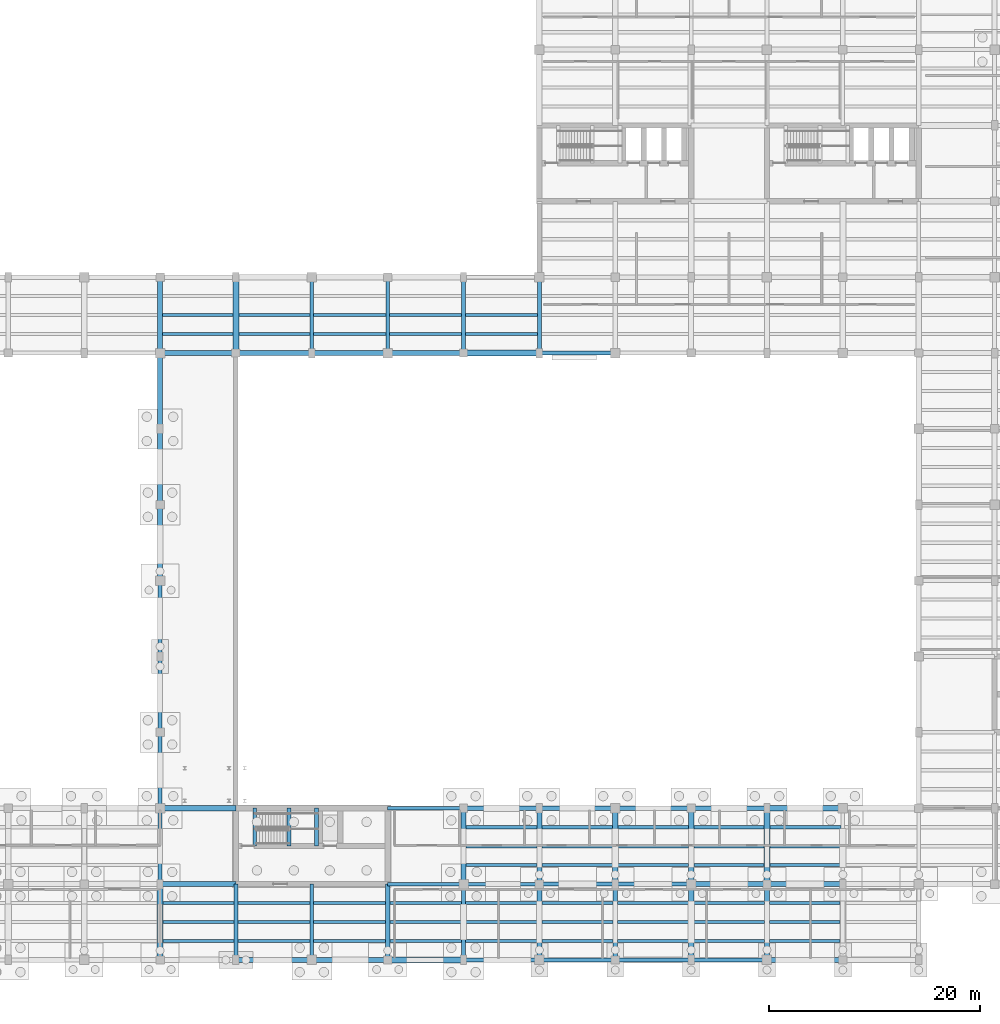
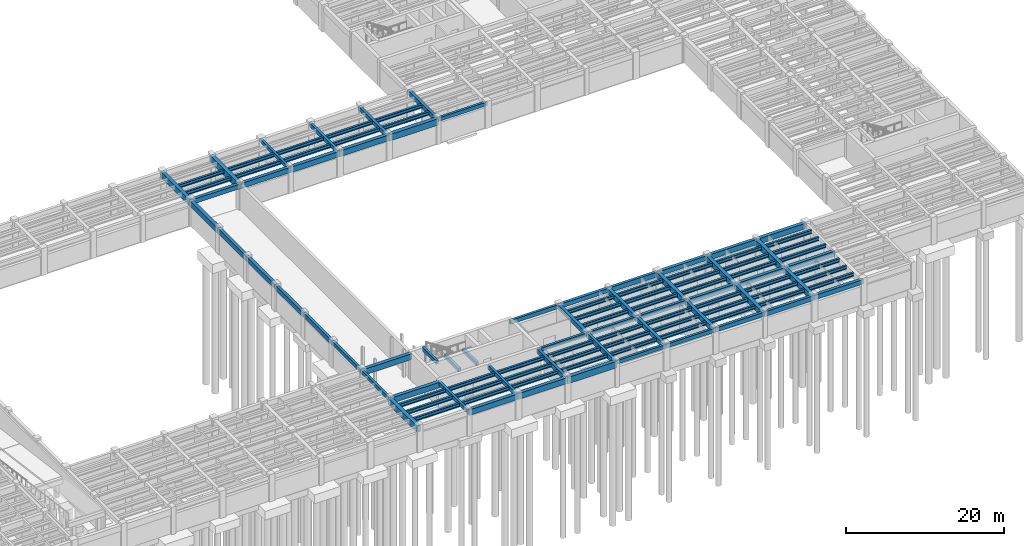
# One storey, part 10 of 33: 110 beams.
"""IFC4 building model written with IfcOpenShell, lengths in metres."""

from ifc_helpers import new_model, si_unit, direction, frame, origin, origin_2d, place, context, subcontext, project, spatial, rectangle, i_section, extrude, material, material_profile, profile_set, type_object, element, save


model = new_model("IFC4")

# Units and contexts
model_context = context("Model", 3, precision=1e-05, world=origin(), true_north=direction((0.0, 1.0)))
body_context = subcontext(model_context, "Body", "Model", "MODEL_VIEW")
ifc_project = project(units=[si_unit("LENGTHUNIT", "METRE"), si_unit("AREAUNIT", "SQUARE_METRE"), si_unit("VOLUMEUNIT", "CUBIC_METRE"), si_unit("PLANEANGLEUNIT", "RADIAN"), si_unit("MASSUNIT", "GRAM", prefix="KILO")], contexts=[model_context])

# Site, building, storey
site_placement = place(None, origin())
site = spatial("IfcSite", under=ifc_project, at=site_placement, CompositionType="ELEMENT")
building_placement = place(site_placement, origin())
building = spatial("IfcBuilding", under=site, at=building_placement, Name="Mithqara Police Headquarters", CompositionType="ELEMENT")
storey_placement = place(building_placement, frame((0.0, 0.0, -4.199951171875)))
storey = spatial("IfcBuildingStorey", under=building, at=storey_placement, Name="B1", CompositionType="ELEMENT", Elevation=-4.199951171875)

# Beams
ifc_material_1 = material(Name="Steel S355JR", Category="steel")
ifc_material_profile_1 = material_profile(ifc_material_1, i_section(OverallWidth=0.300048828125, OverallDepth=0.550048828125, WebThickness=0.014892578125, FlangeThickness=0.029052734375, FilletRadius=0.027099609375, at=origin_2d()), Name="HEB 550")
ifc_profile_set_1 = profile_set([ifc_material_profile_1], Name="Steel S355JR")
beam_type_1 = type_object("IfcBeamType", Name="BEAM HEB550", PredefinedType="BEAM", material=ifc_profile_set_1)
for number, where, z_axis, x_axis, name in (
    (1, (72.875, 22.800048828125, 3.60498046875), (1.0, 0.0, 0.0), (0.0, 1.0, 0.0), "B1 Composite Steel Joist 11-12/D.1"),
    (2, (72.875, 24.60009765625, 3.60498046875), (1.0, 0.0, 0.0), (0.0, 1.0, 0.0), "B1 Composite Steel Joist 11-12/D.2"),
    (3, (72.875, 26.39990234375, 3.60498046875), (1.0, 0.0, 0.0), (0.0, 1.0, 0.0), "B1 Composite Steel Joist 11-12/D.3"),
):
    element("IfcBeam", number, at=place(storey_placement, frame(where, z_axis=z_axis, x_axis=x_axis)), inside=storey, type_object=beam_type_1, Name=name, PredefinedType="BEAM", context=body_context, shape_type="SweptSolid", body=[
        extrude(i_section(OverallWidth=0.300048828125, OverallDepth=0.550048828125, WebThickness=0.014892578125, FlangeThickness=0.029052734375, FilletRadius=0.027099609375, at=origin_2d()), origin(), (0.0, 0.0, 1.0), 6.75),
    ])
for number, where, z_axis, x_axis, name in (
    (4, (72.85009765625, 80.39990234375, 3.60498046875), (1.0, 0.0, 0.0), (0.0, 1.0, 0.0), "B1 Composite Steel Joist 11-12/M.1"),
    (5, (72.85009765625, 82.199951171875, 3.60498046875), (1.0, 0.0, 0.0), (0.0, 1.0, 0.0), "B1 Composite Steel Joist 11-12/M.2"),
):
    element("IfcBeam", number, at=place(storey_placement, frame(where, z_axis=z_axis, x_axis=x_axis)), inside=storey, type_object=beam_type_1, Name=name, PredefinedType="BEAM", context=body_context, shape_type="SweptSolid", body=[
        extrude(i_section(OverallWidth=0.300048828125, OverallDepth=0.550048828125, WebThickness=0.014892578125, FlangeThickness=0.029052734375, FilletRadius=0.027099609375, at=origin_2d()), origin(), (0.0, 0.0, 1.0), 6.6748046875),
    ])
for number, where, z_axis, x_axis, name in (
    (6, (79.97509765625, 22.800048828125, 3.60498046875), (1.0, 0.0, 0.0), (0.0, 1.0, 0.0), "B1 Composite Steel Joist 12-13/D.1"),
    (7, (79.97509765625, 24.60009765625, 3.60498046875), (1.0, 0.0, 0.0), (0.0, 1.0, 0.0), "B1 Composite Steel Joist 12-13/D.2"),
    (8, (79.97509765625, 26.39990234375, 3.60498046875), (1.0, 0.0, 0.0), (0.0, 1.0, 0.0), "B1 Composite Steel Joist 12-13/D.3"),
):
    element("IfcBeam", number, at=place(storey_placement, frame(where, z_axis=z_axis, x_axis=x_axis)), inside=storey, type_object=beam_type_1, Name=name, PredefinedType="BEAM", context=body_context, shape_type="SweptSolid", body=[
        extrude(i_section(OverallWidth=0.300048828125, OverallDepth=0.550048828125, WebThickness=0.014892578125, FlangeThickness=0.029052734375, FilletRadius=0.027099609375, at=origin_2d()), origin(), (0.0, 0.0, 1.0), 6.849853515625),
    ])
for number, where, z_axis, x_axis, name in (
    (9, (80.074951171875, 80.39990234375, 3.60498046875), (1.0, 0.0, 0.0), (0.0, 1.0, 0.0), "B1 Composite Steel Joist 12-13/M.1"),
    (10, (80.074951171875, 82.199951171875, 3.60498046875), (1.0, 0.0, 0.0), (0.0, 1.0, 0.0), "B1 Composite Steel Joist 12-13/M.2"),
):
    element("IfcBeam", number, at=place(storey_placement, frame(where, z_axis=z_axis, x_axis=x_axis)), inside=storey, type_object=beam_type_1, Name=name, PredefinedType="BEAM", context=body_context, shape_type="SweptSolid", body=[
        extrude(i_section(OverallWidth=0.300048828125, OverallDepth=0.550048828125, WebThickness=0.014892578125, FlangeThickness=0.029052734375, FilletRadius=0.027099609375, at=origin_2d()), origin(), (0.0, 0.0, 1.0), 6.75),
    ])
for number, where, z_axis, x_axis, name in (
    (11, (87.175048828125, 22.800048828125, 3.60498046875), (1.0, 0.0, 0.0), (0.0, 1.0, 0.0), "B1 Composite Steel Joist 13-14/D.1"),
    (12, (87.175048828125, 24.60009765625, 3.60498046875), (1.0, 0.0, 0.0), (0.0, 1.0, 0.0), "B1 Composite Steel Joist 13-14/D.2"),
    (13, (87.175048828125, 26.39990234375, 3.60498046875), (1.0, 0.0, 0.0), (0.0, 1.0, 0.0), "B1 Composite Steel Joist 13-14/D.3"),
):
    element("IfcBeam", number, at=place(storey_placement, frame(where, z_axis=z_axis, x_axis=x_axis)), inside=storey, type_object=beam_type_1, Name=name, PredefinedType="BEAM", context=body_context, shape_type="SweptSolid", body=[
        extrude(i_section(OverallWidth=0.300048828125, OverallDepth=0.550048828125, WebThickness=0.014892578125, FlangeThickness=0.029052734375, FilletRadius=0.027099609375, at=origin_2d()), origin(), (0.0, 0.0, 1.0), 6.824951171875),
    ])
for number, where, z_axis, x_axis, name in (
    (14, (87.175048828125, 80.39990234375, 3.60498046875), (1.0, 0.0, 0.0), (0.0, 1.0, 0.0), "B1 Composite Steel Joist 13-14/M.1"),
    (15, (87.175048828125, 82.199951171875, 3.60498046875), (1.0, 0.0, 0.0), (0.0, 1.0, 0.0), "B1 Composite Steel Joist 13-14/M.2"),
):
    element("IfcBeam", number, at=place(storey_placement, frame(where, z_axis=z_axis, x_axis=x_axis)), inside=storey, type_object=beam_type_1, Name=name, PredefinedType="BEAM", context=body_context, shape_type="SweptSolid", body=[
        extrude(i_section(OverallWidth=0.300048828125, OverallDepth=0.550048828125, WebThickness=0.014892578125, FlangeThickness=0.029052734375, FilletRadius=0.027099609375, at=origin_2d()), origin(), (0.0, 0.0, 1.0), 6.849853515625),
    ])
for number, where, z_axis, x_axis, name in (
    (16, (94.39990234375, 22.800048828125, 3.60498046875), (1.0, 0.0, 0.0), (0.0, 1.0, 0.0), "B1 Composite Steel Joist 14-15/D.1"),
    (17, (94.39990234375, 24.60009765625, 3.60498046875), (1.0, 0.0, 0.0), (0.0, 1.0, 0.0), "B1 Composite Steel Joist 14-15/D.2"),
    (18, (94.39990234375, 26.39990234375, 3.60498046875), (1.0, 0.0, 0.0), (0.0, 1.0, 0.0), "B1 Composite Steel Joist 14-15/D.3"),
):
    element("IfcBeam", number, at=place(storey_placement, frame(where, z_axis=z_axis, x_axis=x_axis)), inside=storey, type_object=beam_type_1, Name=name, PredefinedType="BEAM", context=body_context, shape_type="SweptSolid", body=[
        extrude(i_section(OverallWidth=0.300048828125, OverallDepth=0.550048828125, WebThickness=0.014892578125, FlangeThickness=0.029052734375, FilletRadius=0.027099609375, at=origin_2d()), origin(), (0.0, 0.0, 1.0), 6.800048828125),
    ])
for number, where, z_axis, x_axis, name in (
    (19, (94.375, 80.39990234375, 3.60498046875), (1.0, 0.0, 0.0), (0.0, 1.0, 0.0), "B1 Composite Steel Joist 14-15/M.1"),
    (20, (94.375, 82.199951171875, 3.60498046875), (1.0, 0.0, 0.0), (0.0, 1.0, 0.0), "B1 Composite Steel Joist 14-15/M.2"),
):
    element("IfcBeam", number, at=place(storey_placement, frame(where, z_axis=z_axis, x_axis=x_axis)), inside=storey, type_object=beam_type_1, Name=name, PredefinedType="BEAM", context=body_context, shape_type="SweptSolid", body=[
        extrude(i_section(OverallWidth=0.300048828125, OverallDepth=0.550048828125, WebThickness=0.014892578125, FlangeThickness=0.029052734375, FilletRadius=0.027099609375, at=origin_2d()), origin(), (0.0, 0.0, 1.0), 6.824951171875),
    ])
for number, where, z_axis, x_axis, name in (
    (21, (101.60009765625, 22.800048828125, 3.60498046875), (1.0, 0.0, 0.0), (0.0, 1.0, 0.0), "B1 Composite Steel Joist 15-16/D.1"),
    (22, (101.60009765625, 24.60009765625, 3.60498046875), (1.0, 0.0, 0.0), (0.0, 1.0, 0.0), "B1 Composite Steel Joist 15-16/D.2"),
    (23, (101.60009765625, 26.39990234375, 3.60498046875), (1.0, 0.0, 0.0), (0.0, 1.0, 0.0), "B1 Composite Steel Joist 15-16/D.3"),
):
    element("IfcBeam", number, at=place(storey_placement, frame(where, z_axis=z_axis, x_axis=x_axis)), inside=storey, type_object=beam_type_1, Name=name, PredefinedType="BEAM", context=body_context, shape_type="SweptSolid", body=[
        extrude(i_section(OverallWidth=0.300048828125, OverallDepth=0.550048828125, WebThickness=0.014892578125, FlangeThickness=0.029052734375, FilletRadius=0.027099609375, at=origin_2d()), origin(), (0.0, 0.0, 1.0), 6.77490234375),
    ])
for number, where, z_axis, x_axis, name in (
    (24, (101.625, 30.0, 3.60498046875), (1.0, 0.0, 0.0), (0.0, 1.0, 0.0), "B1 Composite Steel Joist 15-16/E.1"),
    (25, (101.625, 31.800048828125, 3.60498046875), (1.0, 0.0, 0.0), (0.0, 1.0, 0.0), "B1 Composite Steel Joist 15-16/E.2"),
    (26, (101.625, 33.60009765625, 3.60498046875), (1.0, 0.0, 0.0), (0.0, 1.0, 0.0), "B1 Composite Steel Joist 15-16/E.3"),
):
    element("IfcBeam", number, at=place(storey_placement, frame(where, z_axis=z_axis, x_axis=x_axis)), inside=storey, type_object=beam_type_1, Name=name, PredefinedType="BEAM", context=body_context, shape_type="SweptSolid", body=[
        extrude(i_section(OverallWidth=0.300048828125, OverallDepth=0.550048828125, WebThickness=0.014892578125, FlangeThickness=0.029052734375, FilletRadius=0.027099609375, at=origin_2d()), origin(), (0.0, 0.0, 1.0), 6.75),
    ])
for number, where, z_axis, x_axis, name in (
    (27, (101.60009765625, 80.39990234375, 3.60498046875), (1.0, 0.0, 0.0), (0.0, 1.0, 0.0), "B1 Composite Steel Joist 15-16/M.1"),
    (28, (101.60009765625, 82.199951171875, 3.60498046875), (1.0, 0.0, 0.0), (0.0, 1.0, 0.0), "B1 Composite Steel Joist 15-16/M.2"),
):
    element("IfcBeam", number, at=place(storey_placement, frame(where, z_axis=z_axis, x_axis=x_axis)), inside=storey, type_object=beam_type_1, Name=name, PredefinedType="BEAM", context=body_context, shape_type="SweptSolid", body=[
        extrude(i_section(OverallWidth=0.300048828125, OverallDepth=0.550048828125, WebThickness=0.014892578125, FlangeThickness=0.029052734375, FilletRadius=0.027099609375, at=origin_2d()), origin(), (0.0, 0.0, 1.0), 6.7998046875),
    ])
for number, where, z_axis, x_axis, name in (
    (29, (108.824951171875, 22.800048828125, 3.60498046875), (1.0, 0.0, 0.0), (0.0, 1.0, 0.0), "B1 Composite Steel Joist 16-17/D.1"),
    (30, (108.824951171875, 24.60009765625, 3.60498046875), (1.0, 0.0, 0.0), (0.0, 1.0, 0.0), "B1 Composite Steel Joist 16-17/D.2"),
    (31, (108.824951171875, 26.39990234375, 3.60498046875), (1.0, 0.0, 0.0), (0.0, 1.0, 0.0), "B1 Composite Steel Joist 16-17/D.3"),
):
    element("IfcBeam", number, at=place(storey_placement, frame(where, z_axis=z_axis, x_axis=x_axis)), inside=storey, type_object=beam_type_1, Name=name, PredefinedType="BEAM", context=body_context, shape_type="SweptSolid", body=[
        extrude(i_section(OverallWidth=0.300048828125, OverallDepth=0.550048828125, WebThickness=0.014892578125, FlangeThickness=0.029052734375, FilletRadius=0.027099609375, at=origin_2d()), origin(), (0.0, 0.0, 1.0), 6.75),
    ])
for number, where, z_axis, x_axis, name in (
    (32, (108.824951171875, 30.0, 3.60498046875), (1.0, 0.0, 0.0), (0.0, 1.0, 0.0), "B1 Composite Steel Joist 16-17/E.1"),
    (33, (108.824951171875, 31.800048828125, 3.60498046875), (1.0, 0.0, 0.0), (0.0, 1.0, 0.0), "B1 Composite Steel Joist 16-17/E.2"),
    (34, (108.824951171875, 33.60009765625, 3.60498046875), (1.0, 0.0, 0.0), (0.0, 1.0, 0.0), "B1 Composite Steel Joist 16-17/E.3"),
    (35, (116.02490234375, 22.800048828125, 3.60498046875), (1.0, 0.0, 0.0), (0.0, 1.0, 0.0), "B1 Composite Steel Joist 17-18/D.1"),
    (36, (116.02490234375, 24.60009765625, 3.60498046875), (1.0, 0.0, 0.0), (0.0, 1.0, 0.0), "B1 Composite Steel Joist 17-18/D.2"),
    (37, (116.02490234375, 26.39990234375, 3.60498046875), (1.0, 0.0, 0.0), (0.0, 1.0, 0.0), "B1 Composite Steel Joist 17-18/D.3"),
):
    element("IfcBeam", number, at=place(storey_placement, frame(where, z_axis=z_axis, x_axis=x_axis)), inside=storey, type_object=beam_type_1, Name=name, PredefinedType="BEAM", context=body_context, shape_type="SweptSolid", body=[
        extrude(i_section(OverallWidth=0.300048828125, OverallDepth=0.550048828125, WebThickness=0.014892578125, FlangeThickness=0.029052734375, FilletRadius=0.027099609375, at=origin_2d()), origin(), (0.0, 0.0, 1.0), 6.72509765625),
    ])
for number, where, z_axis, x_axis, name in (
    (38, (116.050048828125, 30.0, 3.60498046875), (1.0, 0.0, 0.0), (0.0, 1.0, 0.0), "B1 Composite Steel Joist 17-18/E.1"),
    (39, (116.050048828125, 31.800048828125, 3.60498046875), (1.0, 0.0, 0.0), (0.0, 1.0, 0.0), "B1 Composite Steel Joist 17-18/E.2"),
    (40, (116.050048828125, 33.60009765625, 3.60498046875), (1.0, 0.0, 0.0), (0.0, 1.0, 0.0), "B1 Composite Steel Joist 17-18/E.3"),
    (41, (123.25, 22.800048828125, 3.60498046875), (1.0, 0.0, 0.0), (0.0, 1.0, 0.0), "B1 Composite Steel Joist 18-19/D.1"),
    (42, (123.25, 24.60009765625, 3.60498046875), (1.0, 0.0, 0.0), (0.0, 1.0, 0.0), "B1 Composite Steel Joist 18-19/D.2"),
    (43, (123.25, 26.39990234375, 3.60498046875), (1.0, 0.0, 0.0), (0.0, 1.0, 0.0), "B1 Composite Steel Joist 18-19/D.3"),
):
    element("IfcBeam", number, at=place(storey_placement, frame(where, z_axis=z_axis, x_axis=x_axis)), inside=storey, type_object=beam_type_1, Name=name, PredefinedType="BEAM", context=body_context, shape_type="SweptSolid", body=[
        extrude(i_section(OverallWidth=0.300048828125, OverallDepth=0.550048828125, WebThickness=0.014892578125, FlangeThickness=0.029052734375, FilletRadius=0.027099609375, at=origin_2d()), origin(), (0.0, 0.0, 1.0), 6.699951171875),
    ])
for number, where, z_axis, x_axis, name in (
    (44, (123.25, 30.0, 3.60498046875), (1.0, 0.0, 0.0), (0.0, 1.0, 0.0), "B1 Composite Steel Joist 18-19/E.1"),
    (45, (123.25, 31.800048828125, 3.60498046875), (1.0, 0.0, 0.0), (0.0, 1.0, 0.0), "B1 Composite Steel Joist 18-19/E.2"),
    (46, (123.25, 33.60009765625, 3.60498046875), (1.0, 0.0, 0.0), (0.0, 1.0, 0.0), "B1 Composite Steel Joist 18-19/E.3"),
    (47, (130.449951171875, 22.800048828125, 3.60498046875), (1.0, 0.0, 0.0), (0.0, 1.0, 0.0), "B1 Composite Steel Joist 19-20/D.1"),
    (48, (130.449951171875, 24.60009765625, 3.60498046875), (1.0, 0.0, 0.0), (0.0, 1.0, 0.0), "B1 Composite Steel Joist 19-20/D.2"),
    (49, (130.449951171875, 26.39990234375, 3.60498046875), (1.0, 0.0, 0.0), (0.0, 1.0, 0.0), "B1 Composite Steel Joist 19-20/D.3"),
):
    element("IfcBeam", number, at=place(storey_placement, frame(where, z_axis=z_axis, x_axis=x_axis)), inside=storey, type_object=beam_type_1, Name=name, PredefinedType="BEAM", context=body_context, shape_type="SweptSolid", body=[
        extrude(i_section(OverallWidth=0.300048828125, OverallDepth=0.550048828125, WebThickness=0.014892578125, FlangeThickness=0.029052734375, FilletRadius=0.027099609375, at=origin_2d()), origin(), (0.0, 0.0, 1.0), 6.675048828125),
    ])
for number, where, z_axis, x_axis, name in (
    (50, (130.47509765625, 30.0, 3.60498046875), (1.0, 0.0, 0.0), (0.0, 1.0, 0.0), "B1 Composite Steel Joist 19-20/E.1"),
    (51, (130.47509765625, 31.800048828125, 3.60498046875), (1.0, 0.0, 0.0), (0.0, 1.0, 0.0), "B1 Composite Steel Joist 19-20/E.2"),
    (52, (130.47509765625, 33.60009765625, 3.60498046875), (1.0, 0.0, 0.0), (0.0, 1.0, 0.0), "B1 Composite Steel Joist 19-20/E.3"),
):
    element("IfcBeam", number, at=place(storey_placement, frame(where, z_axis=z_axis, x_axis=x_axis)), inside=storey, type_object=beam_type_1, Name=name, PredefinedType="BEAM", context=body_context, shape_type="SweptSolid", body=[
        extrude(i_section(OverallWidth=0.300048828125, OverallDepth=0.550048828125, WebThickness=0.014892578125, FlangeThickness=0.029052734375, FilletRadius=0.027099609375, at=origin_2d()), origin(), (0.0, 0.0, 1.0), 6.75),
    ])
ifc_material_2 = material(Name="Concrete C40/50", Category="concrete")
ifc_material_profile_2 = material_profile(ifc_material_2, rectangle(XDim=0.35009765625, YDim=0.550048828125, at=origin_2d()), Name="RC 350x550")
ifc_profile_set_2 = profile_set([ifc_material_profile_2], Name="Concrete C40/50")
beam_type_2 = type_object("IfcBeamType", Name="BEAM RC350X550", PredefinedType="BEAM", material=ifc_profile_set_2)
for number, where, z_axis, x_axis, name in (
    (53, (72.60009765625, 28.199951171875, 3.60498046875), (0.0, 1.0, 0.0), (-1.0, 0.0, 0.0), "B1 Girder 11/E-F"),
    (54, (79.800048828125, 21.0, 3.60498046875), (0.0, 1.0, 0.0), (-1.0, 0.0, 0.0), "B1 Girder 12/D-E"),
    (55, (87.0, 78.60009765625, 3.60498046875), (0.0, 1.0, 0.0), (-1.0, 0.0, 0.0), "B1 Girder 13/M-N"),
    (56, (94.199951171875, 28.199951171875, 3.60498046875), (1.0, 0.0, 0.0), (0.0, 1.0, 0.0), "B1 Girder 14-15/E"),
):
    element("IfcBeam", number, at=place(storey_placement, frame(where, z_axis=z_axis, x_axis=x_axis)), inside=storey, type_object=beam_type_2, Name=name, PredefinedType="BEAM", context=body_context, shape_type="SweptSolid", body=[
        extrude(rectangle(XDim=0.35009765625, YDim=0.550048828125, at=origin_2d()), origin(), (0.0, 0.0, 1.0), 7.199951171875),
    ])
beam_1_placement = place(storey_placement, frame((101.39990234375, 21.0, 3.60498046875), z_axis=(1.0, 0.0, 0.0), x_axis=(0.0, 1.0, 0.0)))
element("IfcBeam", 57, at=beam_1_placement, inside=storey, type_object=beam_type_2, Name="B1 Girder 15-16/D", PredefinedType="BEAM", context=body_context, shape_type="SweptSolid", body=[
    extrude(rectangle(XDim=0.35009765625, YDim=0.550048828125, at=origin_2d()), origin(), (0.0, 0.0, 1.0), 7.2001953125),
])
beam_2_placement = place(storey_placement, frame((108.60009765625, 78.60009765625, 3.60498046875), z_axis=(1.0, 0.0, 0.0), x_axis=(0.0, 1.0, 0.0)))
element("IfcBeam", 58, at=beam_2_placement, inside=storey, type_object=beam_type_2, Name="B1 Girder 16-17/M", PredefinedType="BEAM", context=body_context, shape_type="SweptSolid", body=[
    extrude(rectangle(XDim=0.35009765625, YDim=0.550048828125, at=origin_2d()), origin(), (0.0, 0.0, 1.0), 7.199951171875),
])
for number, where, z_axis, x_axis, name in (
    (59, (84.830078125, 31.820068359375, 1.635009765625), (0.0, 1.0, 0.0), (-1.0, 0.0, 0.0), "B1 ST-07 Half-Landing Bearer LF"),
    (60, (87.449951171875, 31.820068359375, 1.635009765625), (0.0, 1.0, 0.0), (-1.0, 0.0, 0.0), "B1 ST-07 Half-Landing Bearer LB"),
    (61, (81.576904296875, 31.820068359375, 3.925048828125), (0.0, 1.0, 0.0), (-1.0, 0.0, 0.0), "B1 ST-07 Stairwell Trimmer Beam"),
):
    element("IfcBeam", number, at=place(storey_placement, frame(where, z_axis=z_axis, x_axis=x_axis)), inside=storey, type_object=beam_type_2, Name=name, PredefinedType="BEAM", context=body_context, shape_type="SweptSolid", body=[
        extrude(rectangle(XDim=0.35009765625, YDim=0.550048828125, at=origin_2d()), origin(), (0.0, 0.0, 1.0), 3.579833984375),
    ])
ifc_material_profile_3 = material_profile(ifc_material_2, rectangle(XDim=0.35009765625, YDim=0.60009765625, at=origin_2d()), Name="RC 350x600")
ifc_profile_set_3 = profile_set([ifc_material_profile_3], Name="Concrete C40/50")
beam_type_3 = type_object("IfcBeamType", Name="BEAM RC350X600", PredefinedType="BEAM", material=ifc_profile_set_3)
beam_3_placement = place(storey_placement, frame((72.60009765625, 35.39990234375, 3.579833984375), z_axis=(0.0, 1.0, 0.0), x_axis=(-1.0, 0.0, 0.0)))
element("IfcBeam", 62, at=beam_3_placement, inside=storey, type_object=beam_type_3, Name="B1 Girder 11/F-G", PredefinedType="BEAM", context=body_context, shape_type="SweptSolid", body=[
    extrude(rectangle(XDim=0.35009765625, YDim=0.60009765625, at=origin_2d()), origin(), (0.0, 0.0, 1.0), 7.2001953125),
])
for number, where, z_axis, x_axis, name in (
    (63, (87.0, 21.0, 3.579833984375), (0.0, 1.0, 0.0), (-1.0, 0.0, 0.0), "B1 Girder 13/D-E"),
    (64, (94.199951171875, 35.39990234375, 3.579833984375), (1.0, 0.0, 0.0), (0.0, 1.0, 0.0), "B1 Girder 14-15/F"),
    (65, (94.199951171875, 78.60009765625, 3.579833984375), (0.0, 1.0, 0.0), (-1.0, 0.0, 0.0), "B1 Girder 14/M-N"),
):
    element("IfcBeam", number, at=place(storey_placement, frame(where, z_axis=z_axis, x_axis=x_axis)), inside=storey, type_object=beam_type_3, Name=name, PredefinedType="BEAM", context=body_context, shape_type="SweptSolid", body=[
        extrude(rectangle(XDim=0.35009765625, YDim=0.60009765625, at=origin_2d()), origin(), (0.0, 0.0, 1.0), 7.199951171875),
    ])
beam_4_placement = place(storey_placement, frame((101.39990234375, 28.199951171875, 3.579833984375), z_axis=(1.0, 0.0, 0.0), x_axis=(0.0, 1.0, 0.0)))
element("IfcBeam", 66, at=beam_4_placement, inside=storey, type_object=beam_type_3, Name="B1 Girder 15-16/E", PredefinedType="BEAM", context=body_context, shape_type="SweptSolid", body=[
    extrude(rectangle(XDim=0.35009765625, YDim=0.60009765625, at=origin_2d()), origin(), (0.0, 0.0, 1.0), 7.2001953125),
])
beam_5_placement = place(storey_placement, frame((108.60009765625, 21.0, 3.579833984375), z_axis=(1.0, 0.0, 0.0), x_axis=(0.0, 1.0, 0.0)))
element("IfcBeam", 67, at=beam_5_placement, inside=storey, type_object=beam_type_3, Name="B1 Girder 16-17/D", PredefinedType="BEAM", context=body_context, shape_type="SweptSolid", body=[
    extrude(rectangle(XDim=0.35009765625, YDim=0.60009765625, at=origin_2d()), origin(), (0.0, 0.0, 1.0), 7.199951171875),
])
ifc_material_profile_4 = material_profile(ifc_material_2, rectangle(XDim=0.39990234375, YDim=0.64990234375, at=origin_2d()), Name="RC 400x650")
ifc_profile_set_4 = profile_set([ifc_material_profile_4], Name="Concrete C40/50")
beam_type_4 = type_object("IfcBeamType", Name="BEAM RC400X650", PredefinedType="BEAM", material=ifc_profile_set_4)
for number, where, z_axis, x_axis, name in (
    (68, (72.60009765625, 42.60009765625, 3.554931640625), (0.0, 1.0, 0.0), (-1.0, 0.0, 0.0), "B1 Girder 11/G-H"),
    (69, (94.199951171875, 21.0, 3.554931640625), (0.0, 1.0, 0.0), (-1.0, 0.0, 0.0), "B1 Girder 14/D-E"),
):
    element("IfcBeam", number, at=place(storey_placement, frame(where, z_axis=z_axis, x_axis=x_axis)), inside=storey, type_object=beam_type_4, Name=name, PredefinedType="BEAM", context=body_context, shape_type="SweptSolid", body=[
        extrude(rectangle(XDim=0.39990234375, YDim=0.64990234375, at=origin_2d()), origin(), (0.0, 0.0, 1.0), 7.199951171875),
    ])
beam_6_placement = place(storey_placement, frame((101.39990234375, 35.39990234375, 3.554931640625), z_axis=(1.0, 0.0, 0.0), x_axis=(0.0, 1.0, 0.0)))
element("IfcBeam", 70, at=beam_6_placement, inside=storey, type_object=beam_type_4, Name="B1 Girder 15-16/F", PredefinedType="BEAM", context=body_context, shape_type="SweptSolid", body=[
    extrude(rectangle(XDim=0.39990234375, YDim=0.64990234375, at=origin_2d()), origin(), (0.0, 0.0, 1.0), 7.2001953125),
])
for number, where, z_axis, x_axis, name in (
    (71, (101.39990234375, 78.60009765625, 3.554931640625), (0.0, 1.0, 0.0), (-1.0, 0.0, 0.0), "B1 Girder 15/M-N"),
    (72, (108.60009765625, 28.199951171875, 3.554931640625), (1.0, 0.0, 0.0), (0.0, 1.0, 0.0), "B1 Girder 16-17/E"),
    (73, (115.800048828125, 21.0, 3.554931640625), (1.0, 0.0, 0.0), (0.0, 1.0, 0.0), "B1 Girder 17-18/D"),
):
    element("IfcBeam", number, at=place(storey_placement, frame(where, z_axis=z_axis, x_axis=x_axis)), inside=storey, type_object=beam_type_4, Name=name, PredefinedType="BEAM", context=body_context, shape_type="SweptSolid", body=[
        extrude(rectangle(XDim=0.39990234375, YDim=0.64990234375, at=origin_2d()), origin(), (0.0, 0.0, 1.0), 7.199951171875),
    ])
ifc_material_profile_5 = material_profile(ifc_material_2, rectangle(XDim=0.39990234375, YDim=0.75, at=origin_2d()), Name="RC 400x750")
ifc_profile_set_5 = profile_set([ifc_material_profile_5], Name="Concrete C40/50")
beam_type_5 = type_object("IfcBeamType", Name="BEAM RC400X750", PredefinedType="BEAM", material=ifc_profile_set_5)
for number, where, z_axis, x_axis, name in (
    (74, (72.60009765625, 49.800048828125, 3.5048828125), (0.0, 1.0, 0.0), (-1.0, 0.0, 0.0), "B1 Girder 11/H-J"),
    (75, (101.39990234375, 21.0, 3.5048828125), (0.0, 1.0, 0.0), (-1.0, 0.0, 0.0), "B1 Girder 15/D-E"),
    (76, (108.60009765625, 35.39990234375, 3.5048828125), (1.0, 0.0, 0.0), (0.0, 1.0, 0.0), "B1 Girder 16-17/F"),
    (77, (108.60009765625, 78.60009765625, 3.5048828125), (0.0, 1.0, 0.0), (-1.0, 0.0, 0.0), "B1 Girder 16/M-N"),
    (78, (115.800048828125, 28.199951171875, 3.5048828125), (1.0, 0.0, 0.0), (0.0, 1.0, 0.0), "B1 Girder 17-18/E"),
    (79, (123.0, 21.0, 3.5048828125), (1.0, 0.0, 0.0), (0.0, 1.0, 0.0), "B1 Girder 18-19/D"),
):
    element("IfcBeam", number, at=place(storey_placement, frame(where, z_axis=z_axis, x_axis=x_axis)), inside=storey, type_object=beam_type_5, Name=name, PredefinedType="BEAM", context=body_context, shape_type="SweptSolid", body=[
        extrude(rectangle(XDim=0.39990234375, YDim=0.75, at=origin_2d()), origin(), (0.0, 0.0, 1.0), 7.199951171875),
    ])
ifc_material_profile_6 = material_profile(ifc_material_2, rectangle(XDim=0.449951171875, YDim=0.699951171875, at=origin_2d()), Name="RC 450x700")
ifc_profile_set_6 = profile_set([ifc_material_profile_6], Name="Concrete C40/50")
beam_type_6 = type_object("IfcBeamType", Name="BEAM RC450X700", PredefinedType="BEAM", material=ifc_profile_set_6)
for number, where, z_axis, x_axis, name in (
    (80, (72.60009765625, 57.0, 3.530029296875), (0.0, 1.0, 0.0), (-1.0, 0.0, 0.0), "B1 Girder 11/J-K"),
    (81, (72.60009765625, 78.60009765625, 3.530029296875), (1.0, 0.0, 0.0), (0.0, 1.0, 0.0), "B1 Girder 11-12/M"),
    (82, (101.39990234375, 28.199951171875, 3.530029296875), (0.0, 1.0, 0.0), (-1.0, 0.0, 0.0), "B1 Girder 15/E-F"),
    (83, (108.60009765625, 21.0, 3.530029296875), (0.0, 1.0, 0.0), (-1.0, 0.0, 0.0), "B1 Girder 16/D-E"),
    (84, (115.800048828125, 35.39990234375, 3.530029296875), (1.0, 0.0, 0.0), (0.0, 1.0, 0.0), "B1 Girder 17-18/F"),
    (85, (123.0, 28.199951171875, 3.530029296875), (1.0, 0.0, 0.0), (0.0, 1.0, 0.0), "B1 Girder 18-19/E"),
    (86, (130.199951171875, 21.0, 3.530029296875), (1.0, 0.0, 0.0), (0.0, 1.0, 0.0), "B1 Girder 19-20/D"),
):
    element("IfcBeam", number, at=place(storey_placement, frame(where, z_axis=z_axis, x_axis=x_axis)), inside=storey, type_object=beam_type_6, Name=name, PredefinedType="BEAM", context=body_context, shape_type="SweptSolid", body=[
        extrude(rectangle(XDim=0.449951171875, YDim=0.699951171875, at=origin_2d()), origin(), (0.0, 0.0, 1.0), 7.199951171875),
    ])
ifc_material_profile_7 = material_profile(ifc_material_2, rectangle(XDim=0.449951171875, YDim=0.800048828125, at=origin_2d()), Name="RC 450x800")
ifc_profile_set_7 = profile_set([ifc_material_profile_7], Name="Concrete C40/50")
beam_type_7 = type_object("IfcBeamType", Name="BEAM RC450X800", PredefinedType="BEAM", material=ifc_profile_set_7)
for number, where, z_axis, x_axis, name in (
    (87, (72.60009765625, 64.199951171875, 3.47998046875), (0.0, 1.0, 0.0), (-1.0, 0.0, 0.0), "B1 Girder 11/K-L"),
    (88, (79.800048828125, 78.60009765625, 3.47998046875), (1.0, 0.0, 0.0), (0.0, 1.0, 0.0), "B1 Girder 12-13/M"),
    (89, (108.60009765625, 28.199951171875, 3.47998046875), (0.0, 1.0, 0.0), (-1.0, 0.0, 0.0), "B1 Girder 16/E-F"),
    (90, (115.800048828125, 21.0, 3.47998046875), (0.0, 1.0, 0.0), (-1.0, 0.0, 0.0), "B1 Girder 17/D-E"),
    (91, (123.0, 35.39990234375, 3.47998046875), (1.0, 0.0, 0.0), (0.0, 1.0, 0.0), "B1 Girder 18-19/F"),
    (92, (130.199951171875, 28.199951171875, 3.47998046875), (1.0, 0.0, 0.0), (0.0, 1.0, 0.0), "B1 Girder 19-20/E"),
):
    element("IfcBeam", number, at=place(storey_placement, frame(where, z_axis=z_axis, x_axis=x_axis)), inside=storey, type_object=beam_type_7, Name=name, PredefinedType="BEAM", context=body_context, shape_type="SweptSolid", body=[
        extrude(rectangle(XDim=0.449951171875, YDim=0.800048828125, at=origin_2d()), origin(), (0.0, 0.0, 1.0), 7.199951171875),
    ])
ifc_material_profile_8 = material_profile(ifc_material_2, rectangle(XDim=0.5, YDim=0.85009765625, at=origin_2d()), Name="RC 500x850")
ifc_profile_set_8 = profile_set([ifc_material_profile_8], Name="Concrete C40/50")
beam_type_8 = type_object("IfcBeamType", Name="BEAM RC500X850", PredefinedType="BEAM", material=ifc_profile_set_8)
beam_7_placement = place(storey_placement, frame((72.60009765625, 28.199951171875, 3.454833984375), z_axis=(1.0, 0.0, 0.0), x_axis=(0.0, 1.0, 0.0)))
element("IfcBeam", 93, at=beam_7_placement, inside=storey, type_object=beam_type_8, Name="B1 Girder 11-12/E", PredefinedType="BEAM", context=body_context, shape_type="SweptSolid", body=[
    extrude(rectangle(XDim=0.5, YDim=0.85009765625, at=origin_2d()), origin(), (0.0, 0.0, 1.0), 7.199951171875),
])
beam_8_placement = place(storey_placement, frame((72.60009765625, 71.39990234375, 3.454833984375), z_axis=(0.0, 1.0, 0.0), x_axis=(-1.0, 0.0, 0.0)))
element("IfcBeam", 94, at=beam_8_placement, inside=storey, type_object=beam_type_8, Name="B1 Girder 11/L-M", PredefinedType="BEAM", context=body_context, shape_type="SweptSolid", body=[
    extrude(rectangle(XDim=0.5, YDim=0.85009765625, at=origin_2d()), origin(), (0.0, 0.0, 1.0), 7.2001953125),
])
for number, where, z_axis, x_axis, name in (
    (95, (79.800048828125, 21.0, 3.454833984375), (1.0, 0.0, 0.0), (0.0, 1.0, 0.0), "B1 Girder 12-13/D"),
    (96, (87.0, 78.60009765625, 3.454833984375), (1.0, 0.0, 0.0), (0.0, 1.0, 0.0), "B1 Girder 13-14/M"),
    (97, (115.800048828125, 28.199951171875, 3.454833984375), (0.0, 1.0, 0.0), (-1.0, 0.0, 0.0), "B1 Girder 17/E-F"),
    (98, (123.0, 21.0, 3.454833984375), (0.0, 1.0, 0.0), (-1.0, 0.0, 0.0), "B1 Girder 18/D-E"),
    (99, (130.199951171875, 35.39990234375, 3.454833984375), (1.0, 0.0, 0.0), (0.0, 1.0, 0.0), "B1 Girder 19-20/F"),
):
    element("IfcBeam", number, at=place(storey_placement, frame(where, z_axis=z_axis, x_axis=x_axis)), inside=storey, type_object=beam_type_8, Name=name, PredefinedType="BEAM", context=body_context, shape_type="SweptSolid", body=[
        extrude(rectangle(XDim=0.5, YDim=0.85009765625, at=origin_2d()), origin(), (0.0, 0.0, 1.0), 7.199951171875),
    ])
ifc_material_3 = material(Name="Concrete C50/60", Category="concrete")
ifc_material_profile_9 = material_profile(ifc_material_3, rectangle(XDim=0.5, YDim=0.89990234375, at=origin_2d()), Name="RC 500x900")
ifc_profile_set_9 = profile_set([ifc_material_profile_9], Name="Concrete C50/60")
beam_type_9 = type_object("IfcBeamType", Name="BEAM RC500X900", PredefinedType="BEAM", material=ifc_profile_set_9)
for number, where, z_axis, x_axis, name in (
    (100, (72.60009765625, 35.39990234375, 3.429931640625), (1.0, 0.0, 0.0), (0.0, 1.0, 0.0), "B1 Girder 11-12/F"),
    (101, (72.60009765625, 78.60009765625, 3.429931640625), (0.0, 1.0, 0.0), (-1.0, 0.0, 0.0), "B1 Girder 11/M-N"),
    (102, (87.0, 21.0, 3.429931640625), (1.0, 0.0, 0.0), (0.0, 1.0, 0.0), "B1 Girder 13-14/D"),
    (103, (94.199951171875, 78.60009765625, 3.429931640625), (1.0, 0.0, 0.0), (0.0, 1.0, 0.0), "B1 Girder 14-15/M"),
    (104, (123.0, 28.199951171875, 3.429931640625), (0.0, 1.0, 0.0), (-1.0, 0.0, 0.0), "B1 Girder 18/E-F"),
    (105, (130.199951171875, 21.0, 3.429931640625), (0.0, 1.0, 0.0), (-1.0, 0.0, 0.0), "B1 Girder 19/D-E"),
):
    element("IfcBeam", number, at=place(storey_placement, frame(where, z_axis=z_axis, x_axis=x_axis)), inside=storey, type_object=beam_type_9, Name=name, PredefinedType="BEAM", context=body_context, shape_type="SweptSolid", body=[
        extrude(rectangle(XDim=0.5, YDim=0.89990234375, at=origin_2d()), origin(), (0.0, 0.0, 1.0), 7.199951171875),
    ])
ifc_material_profile_10 = material_profile(ifc_material_3, rectangle(XDim=0.550048828125, YDim=1.0, at=origin_2d()), Name="RC 550x1000")
ifc_profile_set_10 = profile_set([ifc_material_profile_10], Name="Concrete C50/60")
beam_type_10 = type_object("IfcBeamType", Name="BEAM RC550X1000", PredefinedType="BEAM", material=ifc_profile_set_10)
for number, where, z_axis, x_axis, name in (
    (106, (72.60009765625, 21.0, 3.3798828125), (0.0, 1.0, 0.0), (-1.0, 0.0, 0.0), "B1 Girder 11/D-E"),
    (107, (79.800048828125, 78.60009765625, 3.3798828125), (0.0, 1.0, 0.0), (-1.0, 0.0, 0.0), "B1 Girder 12/M-N"),
    (108, (94.199951171875, 21.0, 3.3798828125), (1.0, 0.0, 0.0), (0.0, 1.0, 0.0), "B1 Girder 14-15/D"),
):
    element("IfcBeam", number, at=place(storey_placement, frame(where, z_axis=z_axis, x_axis=x_axis)), inside=storey, type_object=beam_type_10, Name=name, PredefinedType="BEAM", context=body_context, shape_type="SweptSolid", body=[
        extrude(rectangle(XDim=0.550048828125, YDim=1.0, at=origin_2d()), origin(), (0.0, 0.0, 1.0), 7.199951171875),
    ])
beam_9_placement = place(storey_placement, frame((101.39990234375, 78.60009765625, 3.3798828125), z_axis=(1.0, 0.0, 0.0), x_axis=(0.0, 1.0, 0.0)))
element("IfcBeam", 109, at=beam_9_placement, inside=storey, type_object=beam_type_10, Name="B1 Girder 15-16/M", PredefinedType="BEAM", context=body_context, shape_type="SweptSolid", body=[
    extrude(rectangle(XDim=0.550048828125, YDim=1.0, at=origin_2d()), origin(), (0.0, 0.0, 1.0), 7.2001953125),
])
beam_10_placement = place(storey_placement, frame((130.199951171875, 28.199951171875, 3.3798828125), z_axis=(0.0, 1.0, 0.0), x_axis=(-1.0, 0.0, 0.0)))
element("IfcBeam", 110, at=beam_10_placement, inside=storey, type_object=beam_type_10, Name="B1 Girder 19/E-F", PredefinedType="BEAM", context=body_context, shape_type="SweptSolid", body=[
    extrude(rectangle(XDim=0.550048828125, YDim=1.0, at=origin_2d()), origin(), (0.0, 0.0, 1.0), 7.199951171875),
])

save(model, "model.ifc")
